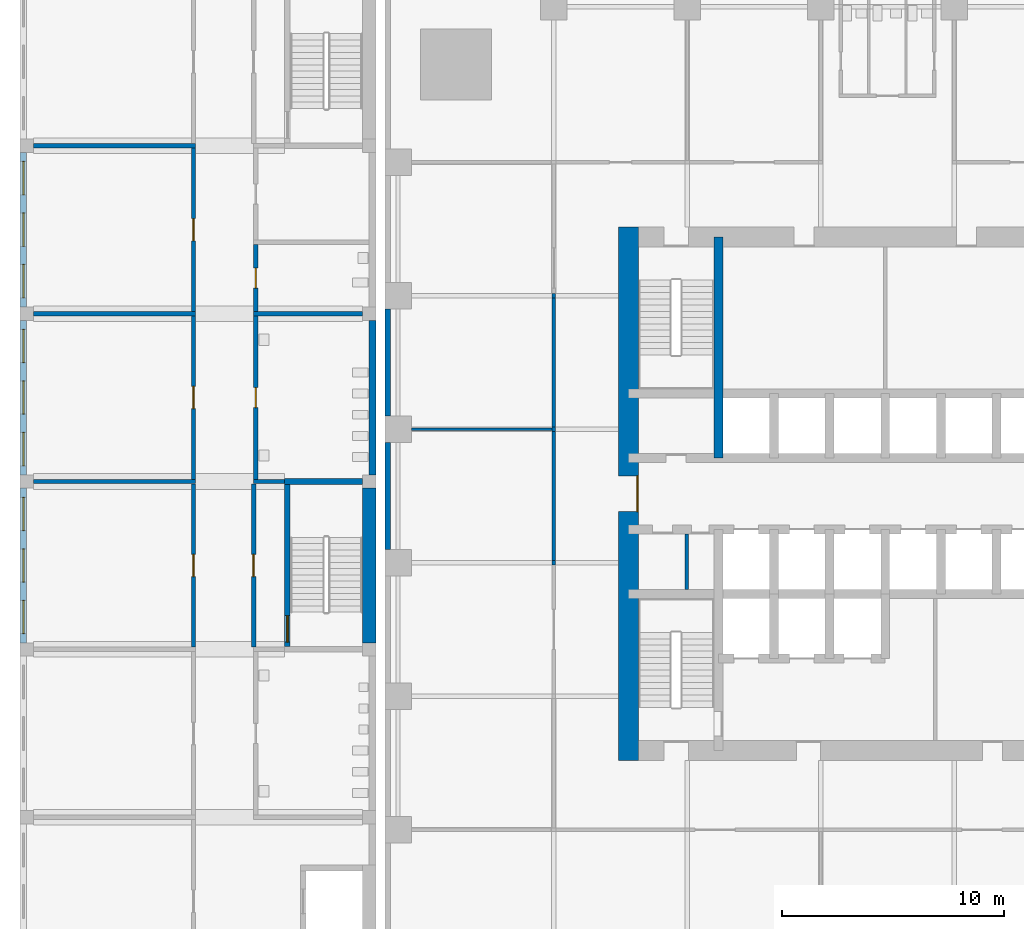
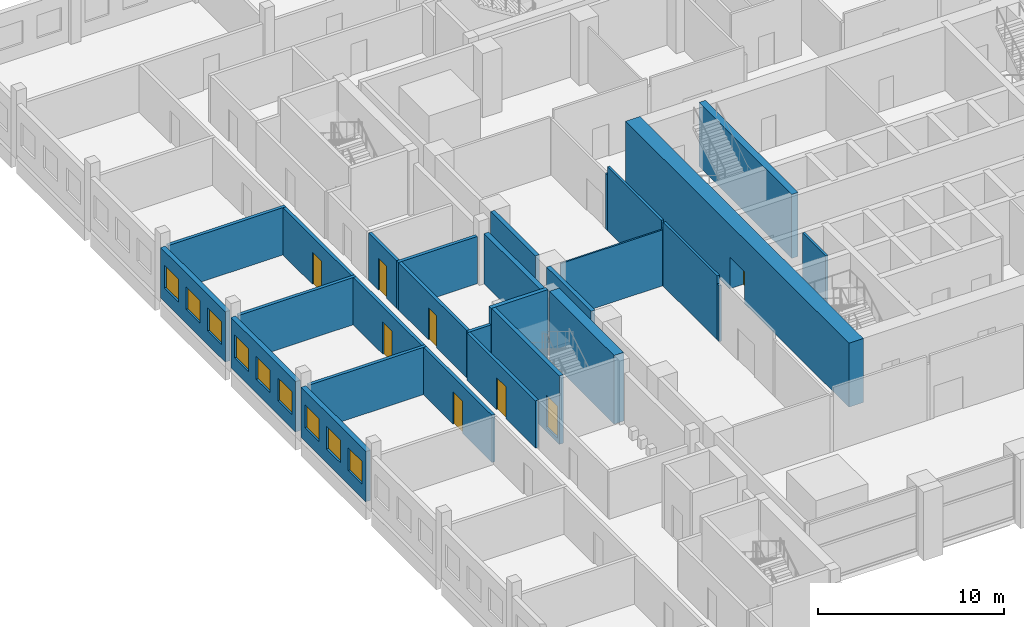
# One storey, part 12 of 25: 29 walls, 9 windows, 8 doors, 17 openings.
"""IFC4 building model written with IfcOpenShell, lengths in metres."""

from ifc_helpers import new_model, si_unit, direction, frame, frame_2d, origin, place, context, subcontext, project, spatial, rectangle, extrude, material, layer, layer_set, type_object, element, fill, save


model = new_model("IFC4")

# Units and contexts
model_context = context("Model", 3, precision=1e-05, world=origin(), true_north=direction((0.0, 1.0)))
body_context = subcontext(model_context, "Body", "Model", "MODEL_VIEW")
ifc_project = project(units=[si_unit("LENGTHUNIT", "METRE"), si_unit("AREAUNIT", "SQUARE_METRE"), si_unit("VOLUMEUNIT", "CUBIC_METRE"), si_unit("PLANEANGLEUNIT", "RADIAN"), si_unit("MASSUNIT", "GRAM", prefix="KILO")], contexts=[model_context])

# Site, building, storey
site_placement = place(None, origin())
site = spatial("IfcSite", under=ifc_project, at=site_placement, CompositionType="ELEMENT")
building_placement = place(site_placement, origin())
building = spatial("IfcBuilding", under=site, at=building_placement, Name="Amberfall Residences", CompositionType="ELEMENT")
storey_placement = place(building_placement, frame((0.0, 0.0, 10.0)))
storey = spatial("IfcBuildingStorey", under=building, at=storey_placement, Name="L02", CompositionType="ELEMENT", Elevation=10.0)

# Wall
ifc_material_1 = material(Name="Concrete C80", Category="concrete")
ifc_layer_1 = layer(ifc_material_1, 0.39990234375)
ifc_layer_set_1 = layer_set([ifc_layer_1], Name="Core wall 400 C80")
wall_type_1 = type_object("IfcWallType", Name="Core wall 400 C80", PredefinedType="SHEAR", material=ifc_layer_set_1)
wall_1_placement = place(storey_placement, frame((67.0, 47.10009765625, 0.0), z_axis=(0.0, 0.0, 1.0), x_axis=(0.0, 1.0, 0.0)))
element("IfcWall", 1, at=wall_1_placement, inside=storey, type_object=wall_type_1, Name="Core wall RW2 L02 V45N", PredefinedType="SHEAR", context=body_context, shape_type="SweptSolid", body=[
    extrude(rectangle(XDim=9.949951171875, YDim=0.39990234375, at=frame_2d((4.97509765625, 0.0))), origin(), (0.0, 0.0, 1.0), 4.199951171875),
])

# Wall, opening, door
ifc_layer_2 = layer(ifc_material_1, 0.89990234375)
ifc_layer_set_2 = layer_set([ifc_layer_2], Name="Core wall 900 C80")
wall_type_2 = type_object("IfcWallType", Name="Core wall 900 C80", PredefinedType="SHEAR", material=ifc_layer_set_2)
wall_2_placement = place(storey_placement, frame((62.949951171875, 33.5, 0.0), z_axis=(0.0, 0.0, 1.0), x_axis=(0.0, 1.0, 0.0)))
wall_2 = element("IfcWall", 2, at=wall_2_placement, inside=storey, type_object=wall_type_2, Name="Core wall RW1 L02 OW", PredefinedType="SHEAR", context=body_context, shape_type="SweptSolid", body=[
    extrude(rectangle(XDim=24.0, YDim=0.89990234375, at=frame_2d((12.0, 0.0))), origin(), (0.0, 0.0, 1.0), 4.199951171875),
])
opening_1_placement = place(wall_2_placement, frame((11.199951171875, 0.0, 0.0)))
opening_1 = element("IfcOpeningElement", 3, at=opening_1_placement, cuts=wall_2, Name="Opening LB1", PredefinedType="OPENING", context=body_context, shape_type="SweptSolid", body=[
    extrude(rectangle(XDim=1.60009765625, YDim=2.10009765625, at=frame_2d((0.800048828125, 1.050048828125))), frame((0.0, 0.4599609375, 0.0), z_axis=(0.0, -1.0, 0.0), x_axis=(1.0, 0.0, 0.0)), (0.0, 0.0, 1.0), 0.919921875),
])
ifc_material_2 = material(Name="Steel fire door set", Category="steel")
door_type_1 = type_object("IfcDoorType", Name="Lift lobby double door 1600 x 2100", OperationType="DOUBLE_DOOR_SINGLE_SWING", PredefinedType="DOOR", material=ifc_material_2)
door_1_placement = place(opening_1_placement, origin())
door_1 = element("IfcDoor", 4, at=door_1_placement, inside=storey, type_object=door_type_1, Name="LB1 L02", OperationType="DOUBLE_DOOR_SINGLE_SWING", OverallHeight=2.10009765625, OverallWidth=1.60009765625, PredefinedType="DOOR", context=body_context, shape_type="SweptSolid", body=[
    extrude(rectangle(XDim=1.60009765625, YDim=2.10009765625, at=frame_2d((0.800048828125, 1.050048828125))), frame((0.0, -0.3876953125, 0.0), z_axis=(0.0, -1.0, 0.0), x_axis=(1.0, 0.0, 0.0)), (0.0, 0.0, 1.0), 0.050048828125),
])
fill(opening_1, door_1)

# Walls
ifc_material_3 = material(Name="Gypsum board on steel studs", Category="steel")
ifc_layer_3 = layer(ifc_material_3, 0.10009765625)
ifc_layer_set_3 = layer_set([ifc_layer_3], Name="Partition 100")
wall_type_3 = type_object("IfcWallType", Name="Partition 100", PredefinedType="PARTITIONING", material=ifc_layer_set_3)
wall_3_placement = place(storey_placement, frame((53.199951171875, 48.39990234375, 0.0), z_axis=(0.0, 0.0, 1.0), x_axis=(1.0, 0.0, 0.0)))
element("IfcWall", 5, at=wall_3_placement, inside=storey, type_object=wall_type_3, Name="Partition 100 L02 002", PredefinedType="PARTITIONING", context=body_context, shape_type="SweptSolid", body=[
    extrude(rectangle(XDim=6.324951171875, YDim=0.10009765625, at=frame_2d((3.16259765625, 0.0))), origin(), (0.0, 0.0, 1.0), 3.6669921875),
])
ifc_material_4 = material(Name="Fire-rated gypsum board on steel studs", Category="steel")
ifc_layer_4 = layer(ifc_material_4, 0.14990234375)
ifc_layer_set_4 = layer_set([ifc_layer_4], Name="Partition 150 fire-rated")
wall_type_4 = type_object("IfcWallType", Name="Partition 150 fire-rated", PredefinedType="PARTITIONING", material=ifc_layer_set_4)
wall_4_placement = place(storey_placement, frame((59.60009765625, 42.29541015625, 0.0), z_axis=(0.0, 0.0, 1.0), x_axis=(0.0, 1.0, 0.0)))
element("IfcWall", 6, at=wall_4_placement, inside=storey, type_object=wall_type_4, Name="Partition 150 fire-rated L02 030", PredefinedType="PARTITIONING", context=body_context, shape_type="SweptSolid", body=[
    extrude(rectangle(XDim=0.209228515625, YDim=0.14990234375, at=frame_2d((0.1044921875, 0.0))), origin(), (0.0, 0.0, 1.0), 3.6669921875),
])
wall_5_placement = place(storey_placement, frame((59.60009765625, 42.504638671875, 0.0), z_axis=(0.0, 0.0, 1.0), x_axis=(0.0, 1.0, 0.0)))
element("IfcWall", 7, at=wall_5_placement, inside=storey, type_object=wall_type_4, Name="Partition 150 fire-rated L02 031", PredefinedType="PARTITIONING", context=body_context, shape_type="SweptSolid", body=[
    extrude(rectangle(XDim=5.790771484375, YDim=0.14990234375, at=frame_2d((2.8955078125, 0.0))), origin(), (0.0, 0.0, 1.0), 4.199951171875),
])
wall_6_placement = place(storey_placement, frame((59.60009765625, 48.29541015625, 0.0), z_axis=(0.0, 0.0, 1.0), x_axis=(0.0, 1.0, 0.0)))
element("IfcWall", 8, at=wall_6_placement, inside=storey, type_object=wall_type_4, Name="Partition 150 fire-rated L02 032", PredefinedType="PARTITIONING", context=body_context, shape_type="SweptSolid", body=[
    extrude(rectangle(XDim=0.209228515625, YDim=0.14990234375, at=frame_2d((0.1044921875, 0.0))), origin(), (0.0, 0.0, 1.0), 3.6669921875),
])
wall_7_placement = place(storey_placement, frame((59.60009765625, 48.504638671875, 0.0), z_axis=(0.0, 0.0, 1.0), x_axis=(0.0, 1.0, 0.0)))
element("IfcWall", 9, at=wall_7_placement, inside=storey, type_object=wall_type_4, Name="Partition 150 fire-rated L02 033", PredefinedType="PARTITIONING", context=body_context, shape_type="SweptSolid", body=[
    extrude(rectangle(XDim=5.790771484375, YDim=0.14990234375, at=frame_2d((2.8955078125, 0.0))), origin(), (0.0, 0.0, 1.0), 4.199951171875),
])
wall_8_placement = place(storey_placement, frame((59.60009765625, 54.29541015625, 0.0), z_axis=(0.0, 0.0, 1.0), x_axis=(0.0, 1.0, 0.0)))
element("IfcWall", 10, at=wall_8_placement, inside=storey, type_object=wall_type_4, Name="Partition 150 fire-rated L02 034", PredefinedType="PARTITIONING", context=body_context, shape_type="SweptSolid", body=[
    extrude(rectangle(XDim=0.2041015625, YDim=0.14990234375, at=frame_2d((0.10205078125, 0.0))), origin(), (0.0, 0.0, 1.0), 3.6669921875),
])
ifc_material_5 = material(Name="Precast concrete C40", Category="concrete")
ifc_layer_5 = layer(ifc_material_5, 0.25)
ifc_layer_set_5 = layer_set([ifc_layer_5], Name="Podium external wall 250")
wall_type_5 = type_object("IfcWallType", Name="Podium external wall 250", PredefinedType="SOLIDWALL", material=ifc_layer_set_5)
for number, where, z_axis, x_axis, name in (
    (11, (52.125, 43.0, 0.0), (0.0, 0.0, 1.0), (0.0, 1.0, 0.0), "Podium external wall W4"),
    (12, (52.125, 49.0, 0.0), (0.0, 0.0, 1.0), (0.0, 1.0, 0.0), "Podium external wall W5"),
):
    element("IfcWall", number, at=place(storey_placement, frame(where, z_axis=z_axis, x_axis=x_axis)), inside=storey, type_object=wall_type_5, Name=name, PredefinedType="SOLIDWALL", context=body_context, shape_type="SweptSolid", body=[
        extrude(rectangle(XDim=4.800048828125, YDim=0.25, at=frame_2d((2.39990234375, 0.0))), origin(), (0.0, 0.0, 1.0), 4.199951171875),
    ])
ifc_material_6 = material(Name="Concrete blockwork", Category="masonry")
ifc_layer_6 = layer(ifc_material_6, 0.14990234375)
ifc_layer_set_6 = layer_set([ifc_layer_6], Name="Riser wall 150")
wall_type_6 = type_object("IfcWallType", Name="Riser wall 150", PredefinedType="PLUMBINGWALL", material=ifc_layer_set_6)
wall_9_placement = place(storey_placement, frame((65.575927734375, 41.199951171875, 0.0), z_axis=(0.0, 0.0, 1.0), x_axis=(0.0, 1.0, 0.0)))
element("IfcWall", 13, at=wall_9_placement, inside=storey, type_object=wall_type_6, Name="L02 core wall ASW0", PredefinedType="PLUMBINGWALL", context=body_context, shape_type="SweptSolid", body=[
    extrude(rectangle(XDim=2.5, YDim=0.14990234375, at=frame_2d((1.25, 0.0))), origin(), (0.0, 0.0, 1.0), 4.199951171875),
])

# Wall, openings, windows
ifc_material_7 = material(Name="Aerated block wall")
ifc_layer_7 = layer(ifc_material_7, 0.300048828125)
ifc_layer_set_7 = layer_set([ifc_layer_7], Name="School external wall 300")
wall_type_7 = type_object("IfcWallType", Name="School external wall 300", PredefinedType="SOLIDWALL", material=ifc_layer_set_7)
wall_10_placement = place(storey_placement, frame((35.75, 38.800048828125, 0.0), z_axis=(0.0, 0.0, 1.0), x_axis=(0.0, 1.0, 0.0)))
wall_10 = element("IfcWall", 14, at=wall_10_placement, inside=storey, type_object=wall_type_7, Name="School external wall L02 EW4", PredefinedType="SOLIDWALL", context=body_context, shape_type="SweptSolid", body=[
    extrude(rectangle(XDim=6.949951171875, YDim=0.300048828125, at=frame_2d((3.47509765625, 0.0))), origin(), (0.0, 0.0, 1.0), 3.300048828125),
])
opening_2_placement = place(wall_10_placement, frame((0.408203125, 0.0, 0.89990234375)))
opening_2 = element("IfcOpeningElement", 15, at=opening_2_placement, cuts=wall_10, Name="Opening SWN1", PredefinedType="OPENING", context=body_context, shape_type="SweptSolid", body=[
    extrude(rectangle(XDim=1.5, YDim=1.5, at=frame_2d((0.75, 0.75))), frame((0.0, 0.159912109375, 0.0), z_axis=(0.0, -1.0, 0.0), x_axis=(1.0, 0.0, 0.0)), (0.0, 0.0, 1.0), 0.320068359375),
])
opening_3_placement = place(wall_10_placement, frame((2.72509765625, 0.0, 0.89990234375)))
opening_3 = element("IfcOpeningElement", 16, at=opening_3_placement, cuts=wall_10, Name="Opening SWN1", PredefinedType="OPENING", context=body_context, shape_type="SweptSolid", body=[
    extrude(rectangle(XDim=1.5, YDim=1.5, at=frame_2d((0.75, 0.75))), frame((0.0, 0.159912109375, 0.0), z_axis=(0.0, -1.0, 0.0), x_axis=(1.0, 0.0, 0.0)), (0.0, 0.0, 1.0), 0.320068359375),
])
opening_4_placement = place(wall_10_placement, frame((5.041748046875, 0.0, 0.89990234375)))
opening_4 = element("IfcOpeningElement", 17, at=opening_4_placement, cuts=wall_10, Name="Opening SWN1", PredefinedType="OPENING", context=body_context, shape_type="SweptSolid", body=[
    extrude(rectangle(XDim=1.5, YDim=1.5, at=frame_2d((0.75, 0.75))), frame((0.0, 0.159912109375, 0.0), z_axis=(0.0, -1.0, 0.0), x_axis=(1.0, 0.0, 0.0)), (0.0, 0.0, 1.0), 0.320068359375),
])
ifc_material_8 = material(Name="Aluminium window", Category="aluminium")
window_type = type_object("IfcWindowType", Name="School window 1500 x 1500", PartitioningType="DOUBLE_PANEL_HORIZONTAL", PredefinedType="WINDOW", material=ifc_material_8)
window_1_placement = place(opening_2_placement, origin())
window_1 = element("IfcWindow", 18, at=window_1_placement, inside=storey, type_object=window_type, Name="School window L02 EW4-1", OverallHeight=1.5, OverallWidth=1.5, PartitioningType="DOUBLE_PANEL_HORIZONTAL", PredefinedType="WINDOW", context=body_context, shape_type="SweptSolid", body=[
    extrude(rectangle(XDim=1.5, YDim=1.5, at=frame_2d((0.75, 0.75))), frame((0.0, 0.030029296875, 0.0), z_axis=(0.0, -1.0, 0.0), x_axis=(1.0, 0.0, 0.0)), (0.0, 0.0, 1.0), 0.06005859375),
])
fill(opening_2, window_1)
window_2_placement = place(opening_3_placement, origin())
window_2 = element("IfcWindow", 19, at=window_2_placement, inside=storey, type_object=window_type, Name="School window L02 EW4-2", OverallHeight=1.5, OverallWidth=1.5, PartitioningType="DOUBLE_PANEL_HORIZONTAL", PredefinedType="WINDOW", context=body_context, shape_type="SweptSolid", body=[
    extrude(rectangle(XDim=1.5, YDim=1.5, at=frame_2d((0.75, 0.75))), frame((0.0, 0.030029296875, 0.0), z_axis=(0.0, -1.0, 0.0), x_axis=(1.0, 0.0, 0.0)), (0.0, 0.0, 1.0), 0.06005859375),
])
fill(opening_3, window_2)
window_3_placement = place(opening_4_placement, origin())
window_3 = element("IfcWindow", 20, at=window_3_placement, inside=storey, type_object=window_type, Name="School window L02 EW4-3", OverallHeight=1.5, OverallWidth=1.5, PartitioningType="DOUBLE_PANEL_HORIZONTAL", PredefinedType="WINDOW", context=body_context, shape_type="SweptSolid", body=[
    extrude(rectangle(XDim=1.5, YDim=1.5, at=frame_2d((0.75, 0.75))), frame((0.0, 0.030029296875, 0.0), z_axis=(0.0, -1.0, 0.0), x_axis=(1.0, 0.0, 0.0)), (0.0, 0.0, 1.0), 0.06005859375),
])
fill(opening_4, window_3)

wall_11_placement = place(storey_placement, frame((35.75, 46.35009765625, 0.0), z_axis=(0.0, 0.0, 1.0), x_axis=(0.0, 1.0, 0.0)))
wall_11 = element("IfcWall", 21, at=wall_11_placement, inside=storey, type_object=wall_type_7, Name="School external wall L02 EW5", PredefinedType="SOLIDWALL", context=body_context, shape_type="SweptSolid", body=[
    extrude(rectangle(XDim=6.949951171875, YDim=0.300048828125, at=frame_2d((3.47509765625, 0.0))), origin(), (0.0, 0.0, 1.0), 3.300048828125),
])
opening_5_placement = place(wall_11_placement, frame((0.408203125, 0.0, 0.89990234375)))
opening_5 = element("IfcOpeningElement", 22, at=opening_5_placement, cuts=wall_11, Name="Opening SWN1", PredefinedType="OPENING", context=body_context, shape_type="SweptSolid", body=[
    extrude(rectangle(XDim=1.5, YDim=1.5, at=frame_2d((0.75, 0.75))), frame((0.0, 0.159912109375, 0.0), z_axis=(0.0, -1.0, 0.0), x_axis=(1.0, 0.0, 0.0)), (0.0, 0.0, 1.0), 0.320068359375),
])
opening_6_placement = place(wall_11_placement, frame((2.72509765625, 0.0, 0.89990234375)))
opening_6 = element("IfcOpeningElement", 23, at=opening_6_placement, cuts=wall_11, Name="Opening SWN1", PredefinedType="OPENING", context=body_context, shape_type="SweptSolid", body=[
    extrude(rectangle(XDim=1.5, YDim=1.5, at=frame_2d((0.75, 0.75))), frame((0.0, 0.159912109375, 0.0), z_axis=(0.0, -1.0, 0.0), x_axis=(1.0, 0.0, 0.0)), (0.0, 0.0, 1.0), 0.320068359375),
])
opening_7_placement = place(wall_11_placement, frame((5.041748046875, 0.0, 0.89990234375)))
opening_7 = element("IfcOpeningElement", 24, at=opening_7_placement, cuts=wall_11, Name="Opening SWN1", PredefinedType="OPENING", context=body_context, shape_type="SweptSolid", body=[
    extrude(rectangle(XDim=1.5, YDim=1.5, at=frame_2d((0.75, 0.75))), frame((0.0, 0.159912109375, 0.0), z_axis=(0.0, -1.0, 0.0), x_axis=(1.0, 0.0, 0.0)), (0.0, 0.0, 1.0), 0.320068359375),
])
window_4_placement = place(opening_5_placement, origin())
window_4 = element("IfcWindow", 25, at=window_4_placement, inside=storey, type_object=window_type, Name="School window L02 EW5-1", OverallHeight=1.5, OverallWidth=1.5, PartitioningType="DOUBLE_PANEL_HORIZONTAL", PredefinedType="WINDOW", context=body_context, shape_type="SweptSolid", body=[
    extrude(rectangle(XDim=1.5, YDim=1.5, at=frame_2d((0.75, 0.75))), frame((0.0, 0.030029296875, 0.0), z_axis=(0.0, -1.0, 0.0), x_axis=(1.0, 0.0, 0.0)), (0.0, 0.0, 1.0), 0.06005859375),
])
fill(opening_5, window_4)
window_5_placement = place(opening_6_placement, origin())
window_5 = element("IfcWindow", 26, at=window_5_placement, inside=storey, type_object=window_type, Name="School window L02 EW5-2", OverallHeight=1.5, OverallWidth=1.5, PartitioningType="DOUBLE_PANEL_HORIZONTAL", PredefinedType="WINDOW", context=body_context, shape_type="SweptSolid", body=[
    extrude(rectangle(XDim=1.5, YDim=1.5, at=frame_2d((0.75, 0.75))), frame((0.0, 0.030029296875, 0.0), z_axis=(0.0, -1.0, 0.0), x_axis=(1.0, 0.0, 0.0)), (0.0, 0.0, 1.0), 0.06005859375),
])
fill(opening_6, window_5)
window_6_placement = place(opening_7_placement, origin())
window_6 = element("IfcWindow", 27, at=window_6_placement, inside=storey, type_object=window_type, Name="School window L02 EW5-3", OverallHeight=1.5, OverallWidth=1.5, PartitioningType="DOUBLE_PANEL_HORIZONTAL", PredefinedType="WINDOW", context=body_context, shape_type="SweptSolid", body=[
    extrude(rectangle(XDim=1.5, YDim=1.5, at=frame_2d((0.75, 0.75))), frame((0.0, 0.030029296875, 0.0), z_axis=(0.0, -1.0, 0.0), x_axis=(1.0, 0.0, 0.0)), (0.0, 0.0, 1.0), 0.06005859375),
])
fill(opening_7, window_6)

wall_12_placement = place(storey_placement, frame((35.75, 53.89990234375, 0.0), z_axis=(0.0, 0.0, 1.0), x_axis=(0.0, 1.0, 0.0)))
wall_12 = element("IfcWall", 28, at=wall_12_placement, inside=storey, type_object=wall_type_7, Name="School external wall L02 EW6", PredefinedType="SOLIDWALL", context=body_context, shape_type="SweptSolid", body=[
    extrude(rectangle(XDim=6.9501953125, YDim=0.300048828125, at=frame_2d((3.47509765625, 0.0))), origin(), (0.0, 0.0, 1.0), 3.300048828125),
])
opening_8_placement = place(wall_12_placement, frame((0.408203125, 0.0, 0.89990234375)))
opening_8 = element("IfcOpeningElement", 29, at=opening_8_placement, cuts=wall_12, Name="Opening SWN1", PredefinedType="OPENING", context=body_context, shape_type="SweptSolid", body=[
    extrude(rectangle(XDim=1.5, YDim=1.5, at=frame_2d((0.75, 0.75))), frame((0.0, 0.159912109375, 0.0), z_axis=(0.0, -1.0, 0.0), x_axis=(1.0, 0.0, 0.0)), (0.0, 0.0, 1.0), 0.320068359375),
])
opening_9_placement = place(wall_12_placement, frame((2.72509765625, 0.0, 0.89990234375)))
opening_9 = element("IfcOpeningElement", 30, at=opening_9_placement, cuts=wall_12, Name="Opening SWN1", PredefinedType="OPENING", context=body_context, shape_type="SweptSolid", body=[
    extrude(rectangle(XDim=1.5, YDim=1.5, at=frame_2d((0.75, 0.75))), frame((0.0, 0.159912109375, 0.0), z_axis=(0.0, -1.0, 0.0), x_axis=(1.0, 0.0, 0.0)), (0.0, 0.0, 1.0), 0.320068359375),
])
opening_10_placement = place(wall_12_placement, frame((5.041748046875, 0.0, 0.89990234375)))
opening_10 = element("IfcOpeningElement", 31, at=opening_10_placement, cuts=wall_12, Name="Opening SWN1", PredefinedType="OPENING", context=body_context, shape_type="SweptSolid", body=[
    extrude(rectangle(XDim=1.5, YDim=1.5, at=frame_2d((0.75, 0.75))), frame((0.0, 0.159912109375, 0.0), z_axis=(0.0, -1.0, 0.0), x_axis=(1.0, 0.0, 0.0)), (0.0, 0.0, 1.0), 0.320068359375),
])
window_7_placement = place(opening_8_placement, origin())
window_7 = element("IfcWindow", 32, at=window_7_placement, inside=storey, type_object=window_type, Name="School window L02 EW6-1", OverallHeight=1.5, OverallWidth=1.5, PartitioningType="DOUBLE_PANEL_HORIZONTAL", PredefinedType="WINDOW", context=body_context, shape_type="SweptSolid", body=[
    extrude(rectangle(XDim=1.5, YDim=1.5, at=frame_2d((0.75, 0.75))), frame((0.0, 0.030029296875, 0.0), z_axis=(0.0, -1.0, 0.0), x_axis=(1.0, 0.0, 0.0)), (0.0, 0.0, 1.0), 0.06005859375),
])
fill(opening_8, window_7)
window_8_placement = place(opening_9_placement, origin())
window_8 = element("IfcWindow", 33, at=window_8_placement, inside=storey, type_object=window_type, Name="School window L02 EW6-2", OverallHeight=1.5, OverallWidth=1.5, PartitioningType="DOUBLE_PANEL_HORIZONTAL", PredefinedType="WINDOW", context=body_context, shape_type="SweptSolid", body=[
    extrude(rectangle(XDim=1.5, YDim=1.5, at=frame_2d((0.75, 0.75))), frame((0.0, 0.030029296875, 0.0), z_axis=(0.0, -1.0, 0.0), x_axis=(1.0, 0.0, 0.0)), (0.0, 0.0, 1.0), 0.06005859375),
])
fill(opening_9, window_8)
window_9_placement = place(opening_10_placement, origin())
window_9 = element("IfcWindow", 34, at=window_9_placement, inside=storey, type_object=window_type, Name="School window L02 EW6-3", OverallHeight=1.5, OverallWidth=1.5, PartitioningType="DOUBLE_PANEL_HORIZONTAL", PredefinedType="WINDOW", context=body_context, shape_type="SweptSolid", body=[
    extrude(rectangle(XDim=1.5, YDim=1.5, at=frame_2d((0.75, 0.75))), frame((0.0, 0.030029296875, 0.0), z_axis=(0.0, -1.0, 0.0), x_axis=(1.0, 0.0, 0.0)), (0.0, 0.0, 1.0), 0.06005859375),
])
fill(opening_10, window_9)

# Wall
wall_13_placement = place(storey_placement, frame((51.449951171875, 46.35009765625, 0.0), z_axis=(0.0, 0.0, 1.0), x_axis=(0.0, 1.0, 0.0)))
element("IfcWall", 35, at=wall_13_placement, inside=storey, type_object=wall_type_7, Name="School external wall L02 ET5", PredefinedType="SOLIDWALL", context=body_context, shape_type="SweptSolid", body=[
    extrude(rectangle(XDim=6.949951171875, YDim=0.300048828125, at=frame_2d((3.47509765625, 0.0))), origin(), (0.0, 0.0, 1.0), 3.300048828125),
])

# Wall, opening, door
ifc_layer_8 = layer(ifc_material_7, 0.199951171875)
ifc_layer_set_8 = layer_set([ifc_layer_8], Name="School partition 200")
wall_type_8 = type_object("IfcWallType", Name="School partition 200", PredefinedType="PARTITIONING", material=ifc_layer_set_8)
wall_14_placement = place(storey_placement, frame((43.39990234375, 38.60009765625, 0.0), z_axis=(0.0, 0.0, 1.0), x_axis=(0.0, 1.0, 0.0)))
wall_14 = element("IfcWall", 36, at=wall_14_placement, inside=storey, type_object=wall_type_8, Name="School partition L02 CWW4", PredefinedType="PARTITIONING", context=body_context, shape_type="SweptSolid", body=[
    extrude(rectangle(XDim=7.349853515625, YDim=0.199951171875, at=frame_2d((3.6748046875, 0.0))), origin(), (0.0, 0.0, 1.0), 3.10009765625),
])
opening_11_placement = place(wall_14_placement, frame((3.175048828125, 0.0, 0.0)))
opening_11 = element("IfcOpeningElement", 37, at=opening_11_placement, cuts=wall_14, Name="Opening SD5", PredefinedType="OPENING", context=body_context, shape_type="SweptSolid", body=[
    extrude(rectangle(XDim=1.0, YDim=2.10009765625, at=frame_2d((0.5, 1.050048828125))), frame((0.0, 0.10986328125, 0.0), z_axis=(0.0, -1.0, 0.0), x_axis=(1.0, 0.0, 0.0)), (0.0, 0.0, 1.0), 0.219970703125),
])
ifc_material_9 = material(Name="Timber door", Category="wood")
door_type_2 = type_object("IfcDoorType", Name="School classroom door 1000 x 2100", OperationType="SINGLE_SWING_LEFT", PredefinedType="DOOR", material=ifc_material_9)
door_2_placement = place(opening_11_placement, origin())
door_2 = element("IfcDoor", 38, at=door_2_placement, inside=storey, type_object=door_type_2, Name="School door L02 CWW4-1", OperationType="SINGLE_SWING_LEFT", OverallHeight=2.10009765625, OverallWidth=1.0, PredefinedType="DOOR", context=body_context, shape_type="SweptSolid", body=[
    extrude(rectangle(XDim=1.0, YDim=2.10009765625, at=frame_2d((0.5, 1.050048828125))), frame((0.0, 0.02490234375, 0.0), z_axis=(0.0, -1.0, 0.0), x_axis=(1.0, 0.0, 0.0)), (0.0, 0.0, 1.0), 0.050048828125),
])
fill(opening_11, door_2)

wall_15_placement = place(storey_placement, frame((43.39990234375, 46.14990234375, 0.0), z_axis=(0.0, 0.0, 1.0), x_axis=(0.0, 1.0, 0.0)))
wall_15 = element("IfcWall", 39, at=wall_15_placement, inside=storey, type_object=wall_type_8, Name="School partition L02 CWW5", PredefinedType="PARTITIONING", context=body_context, shape_type="SweptSolid", body=[
    extrude(rectangle(XDim=7.35009765625, YDim=0.199951171875, at=frame_2d((3.675048828125, 0.0))), origin(), (0.0, 0.0, 1.0), 3.10009765625),
])
opening_12_placement = place(wall_15_placement, frame((3.175048828125, 0.0, 0.0)))
opening_12 = element("IfcOpeningElement", 40, at=opening_12_placement, cuts=wall_15, Name="Opening SD5", PredefinedType="OPENING", context=body_context, shape_type="SweptSolid", body=[
    extrude(rectangle(XDim=1.0, YDim=2.10009765625, at=frame_2d((0.5, 1.050048828125))), frame((0.0, 0.10986328125, 0.0), z_axis=(0.0, -1.0, 0.0), x_axis=(1.0, 0.0, 0.0)), (0.0, 0.0, 1.0), 0.219970703125),
])
door_3_placement = place(opening_12_placement, origin())
door_3 = element("IfcDoor", 41, at=door_3_placement, inside=storey, type_object=door_type_2, Name="School door L02 CWW5-1", OperationType="SINGLE_SWING_LEFT", OverallHeight=2.10009765625, OverallWidth=1.0, PredefinedType="DOOR", context=body_context, shape_type="SweptSolid", body=[
    extrude(rectangle(XDim=1.0, YDim=2.10009765625, at=frame_2d((0.5, 1.050048828125))), frame((0.0, 0.02490234375, 0.0), z_axis=(0.0, -1.0, 0.0), x_axis=(1.0, 0.0, 0.0)), (0.0, 0.0, 1.0), 0.050048828125),
])
fill(opening_12, door_3)

wall_16_placement = place(storey_placement, frame((43.39990234375, 53.699951171875, 0.0), z_axis=(0.0, 0.0, 1.0), x_axis=(0.0, 1.0, 0.0)))
wall_16 = element("IfcWall", 42, at=wall_16_placement, inside=storey, type_object=wall_type_8, Name="School partition L02 CWW6", PredefinedType="PARTITIONING", context=body_context, shape_type="SweptSolid", body=[
    extrude(rectangle(XDim=7.35009765625, YDim=0.199951171875, at=frame_2d((3.675048828125, 0.0))), origin(), (0.0, 0.0, 1.0), 3.10009765625),
])
opening_13_placement = place(wall_16_placement, frame((3.175048828125, 0.0, 0.0)))
opening_13 = element("IfcOpeningElement", 43, at=opening_13_placement, cuts=wall_16, Name="Opening SD5", PredefinedType="OPENING", context=body_context, shape_type="SweptSolid", body=[
    extrude(rectangle(XDim=1.0, YDim=2.10009765625, at=frame_2d((0.5, 1.050048828125))), frame((0.0, 0.10986328125, 0.0), z_axis=(0.0, -1.0, 0.0), x_axis=(1.0, 0.0, 0.0)), (0.0, 0.0, 1.0), 0.219970703125),
])
door_4_placement = place(opening_13_placement, origin())
door_4 = element("IfcDoor", 44, at=door_4_placement, inside=storey, type_object=door_type_2, Name="School door L02 CWW6-1", OperationType="SINGLE_SWING_LEFT", OverallHeight=2.10009765625, OverallWidth=1.0, PredefinedType="DOOR", context=body_context, shape_type="SweptSolid", body=[
    extrude(rectangle(XDim=1.0, YDim=2.10009765625, at=frame_2d((0.5, 1.050048828125))), frame((0.0, 0.02490234375, 0.0), z_axis=(0.0, -1.0, 0.0), x_axis=(1.0, 0.0, 0.0)), (0.0, 0.0, 1.0), 0.050048828125),
])
fill(opening_13, door_4)

# Walls
for number, where, z_axis, x_axis, name in (
    (45, (36.199951171875, 46.050048828125, 0.0), (0.0, 0.0, 1.0), (1.0, 0.0, 0.0), "School partition L02 PW4605"),
    (46, (36.199951171875, 53.60009765625, 0.0), (0.0, 0.0, 1.0), (1.0, 0.0, 0.0), "School partition L02 PW5360"),
    (47, (36.199951171875, 61.14990234375, 0.0), (0.0, 0.0, 1.0), (1.0, 0.0, 0.0), "School partition L02 PW6115"),
):
    element("IfcWall", number, at=place(storey_placement, frame(where, z_axis=z_axis, x_axis=x_axis)), inside=storey, type_object=wall_type_8, Name=name, PredefinedType="PARTITIONING", context=body_context, shape_type="SweptSolid", body=[
        extrude(rectangle(XDim=7.300048828125, YDim=0.199951171875, at=frame_2d((3.64990234375, 0.0))), origin(), (0.0, 0.0, 1.0), 3.10009765625),
    ])

# Wall, opening, door
wall_17_placement = place(storey_placement, frame((46.199951171875, 46.14990234375, 0.0), z_axis=(0.0, 0.0, 1.0), x_axis=(0.0, 1.0, 0.0)))
wall_17 = element("IfcWall", 48, at=wall_17_placement, inside=storey, type_object=wall_type_8, Name="School partition L02 CWE546", PredefinedType="PARTITIONING", context=body_context, shape_type="SweptSolid", body=[
    extrude(rectangle(XDim=7.35009765625, YDim=0.199951171875, at=frame_2d((3.675048828125, 0.0))), origin(), (0.0, 0.0, 1.0), 3.10009765625),
])
opening_14_placement = place(wall_17_placement, frame((3.22509765625, 0.0, 0.0)))
opening_14 = element("IfcOpeningElement", 49, at=opening_14_placement, cuts=wall_17, Name="Opening SD2", PredefinedType="OPENING", context=body_context, shape_type="SweptSolid", body=[
    extrude(rectangle(XDim=0.89990234375, YDim=2.10009765625, at=frame_2d((0.449951171875, 1.050048828125))), frame((0.0, 0.10986328125, 0.0), z_axis=(0.0, -1.0, 0.0), x_axis=(1.0, 0.0, 0.0)), (0.0, 0.0, 1.0), 0.219970703125),
])
door_type_3 = type_object("IfcDoorType", Name="School WC door 900 x 2100", OperationType="SINGLE_SWING_LEFT", PredefinedType="DOOR", material=ifc_material_9)
door_5_placement = place(opening_14_placement, origin())
door_5 = element("IfcDoor", 50, at=door_5_placement, inside=storey, type_object=door_type_3, Name="School door L02 CWE546-1", OperationType="SINGLE_SWING_LEFT", OverallHeight=2.10009765625, OverallWidth=0.89990234375, PredefinedType="DOOR", context=body_context, shape_type="SweptSolid", body=[
    extrude(rectangle(XDim=0.89990234375, YDim=2.10009765625, at=frame_2d((0.449951171875, 1.050048828125))), frame((0.0, 0.02490234375, 0.0), z_axis=(0.0, -1.0, 0.0), x_axis=(1.0, 0.0, 0.0)), (0.0, 0.0, 1.0), 0.050048828125),
])
fill(opening_14, door_5)

wall_18_placement = place(storey_placement, frame((46.199951171875, 53.699951171875, 0.0), z_axis=(0.0, 0.0, 1.0), x_axis=(0.0, 1.0, 0.0)))
wall_18 = element("IfcWall", 51, at=wall_18_placement, inside=storey, type_object=wall_type_8, Name="School partition L02 CWE654", PredefinedType="PARTITIONING", context=body_context, shape_type="SweptSolid", body=[
    extrude(rectangle(XDim=3.0, YDim=0.199951171875, at=frame_2d((1.5, 0.0))), origin(), (0.0, 0.0, 1.0), 3.10009765625),
])
opening_15_placement = place(wall_18_placement, frame((1.050048828125, 0.0, 0.0)))
opening_15 = element("IfcOpeningElement", 52, at=opening_15_placement, cuts=wall_18, Name="Opening SD2", PredefinedType="OPENING", context=body_context, shape_type="SweptSolid", body=[
    extrude(rectangle(XDim=0.89990234375, YDim=2.10009765625, at=frame_2d((0.449951171875, 1.050048828125))), frame((0.0, 0.10986328125, 0.0), z_axis=(0.0, -1.0, 0.0), x_axis=(1.0, 0.0, 0.0)), (0.0, 0.0, 1.0), 0.219970703125),
])
door_6_placement = place(opening_15_placement, origin())
door_6 = element("IfcDoor", 53, at=door_6_placement, inside=storey, type_object=door_type_3, Name="School door L02 CWE654-1", OperationType="SINGLE_SWING_LEFT", OverallHeight=2.10009765625, OverallWidth=0.89990234375, PredefinedType="DOOR", context=body_context, shape_type="SweptSolid", body=[
    extrude(rectangle(XDim=0.89990234375, YDim=2.10009765625, at=frame_2d((0.449951171875, 1.050048828125))), frame((0.0, 0.02490234375, 0.0), z_axis=(0.0, -1.0, 0.0), x_axis=(1.0, 0.0, 0.0)), (0.0, 0.0, 1.0), 0.050048828125),
])
fill(opening_15, door_6)

# Walls
wall_19_placement = place(storey_placement, frame((46.10009765625, 46.050048828125, 0.0), z_axis=(0.0, 0.0, 1.0), x_axis=(1.0, 0.0, 0.0)))
element("IfcWall", 54, at=wall_19_placement, inside=storey, type_object=wall_type_8, Name="School partition L02 PEA5", PredefinedType="PARTITIONING", context=body_context, shape_type="SweptSolid", body=[
    extrude(rectangle(XDim=1.39990234375, YDim=0.199951171875, at=frame_2d((0.699951171875, 0.0))), origin(), (0.0, 0.0, 1.0), 3.10009765625),
])
wall_20_placement = place(storey_placement, frame((46.10009765625, 53.60009765625, 0.0), z_axis=(0.0, 0.0, 1.0), x_axis=(1.0, 0.0, 0.0)))
element("IfcWall", 55, at=wall_20_placement, inside=storey, type_object=wall_type_8, Name="School partition L02 PE6", PredefinedType="PARTITIONING", context=body_context, shape_type="SweptSolid", body=[
    extrude(rectangle(XDim=4.89990234375, YDim=0.199951171875, at=frame_2d((2.449951171875, 0.0))), origin(), (0.0, 0.0, 1.0), 3.10009765625),
])

# Wall, opening, door
wall_21_placement = place(storey_placement, frame((46.10009765625, 38.60009765625, 0.0), z_axis=(0.0, 0.0, 1.0), x_axis=(0.0, 1.0, 0.0)))
wall_21 = element("IfcWall", 56, at=wall_21_placement, inside=storey, type_object=wall_type_8, Name="School partition L02 CWLSS2", PredefinedType="PARTITIONING", context=body_context, shape_type="SweptSolid", body=[
    extrude(rectangle(XDim=7.349853515625, YDim=0.199951171875, at=frame_2d((3.6748046875, 0.0))), origin(), (0.0, 0.0, 1.0), 3.10009765625),
])
opening_16_placement = place(wall_21_placement, frame((3.175048828125, 0.0, 0.0)))
opening_16 = element("IfcOpeningElement", 57, at=opening_16_placement, cuts=wall_21, Name="Opening SD8", PredefinedType="OPENING", context=body_context, shape_type="SweptSolid", body=[
    extrude(rectangle(XDim=1.0, YDim=2.10009765625, at=frame_2d((0.5, 1.050048828125))), frame((0.0, 0.10986328125, 0.0), z_axis=(0.0, -1.0, 0.0), x_axis=(1.0, 0.0, 0.0)), (0.0, 0.0, 1.0), 0.219970703125),
])
door_type_4 = type_object("IfcDoorType", Name="School lobby door 1000 x 2100", OperationType="SINGLE_SWING_LEFT", PredefinedType="DOOR", material=ifc_material_9)
door_7_placement = place(opening_16_placement, origin())
door_7 = element("IfcDoor", 58, at=door_7_placement, inside=storey, type_object=door_type_4, Name="School door L02 CWLSS2-1", OperationType="SINGLE_SWING_LEFT", OverallHeight=2.10009765625, OverallWidth=1.0, PredefinedType="DOOR", context=body_context, shape_type="SweptSolid", body=[
    extrude(rectangle(XDim=1.0, YDim=2.10009765625, at=frame_2d((0.5, 1.050048828125))), frame((0.0, 0.02490234375, 0.0), z_axis=(0.0, -1.0, 0.0), x_axis=(1.0, 0.0, 0.0)), (0.0, 0.0, 1.0), 0.050048828125),
])
fill(opening_16, door_7)

ifc_material_10 = material(Name="Concrete C50", Category="concrete")
ifc_layer_9 = layer(ifc_material_10, 0.25)
ifc_layer_set_9 = layer_set([ifc_layer_9], Name="School stair core wall 250 C50")
wall_type_9 = type_object("IfcWallType", Name="School stair core wall 250 C50", PredefinedType="SHEAR", material=ifc_layer_set_9)
wall_22_placement = place(storey_placement, frame((47.625, 38.625, -0.300048828125), z_axis=(0.0, 0.0, 1.0), x_axis=(0.0, 1.0, 0.0)))
wall_22 = element("IfcWall", 59, at=wall_22_placement, inside=storey, type_object=wall_type_9, Name="School core wall L02 SS2W", PredefinedType="SHEAR", context=body_context, shape_type="SweptSolid", body=[
    extrude(rectangle(XDim=7.300048828125, YDim=0.25, at=frame_2d((3.64990234375, 0.0))), origin(), (0.0, 0.0, 1.0), 4.5),
])
opening_17_placement = place(wall_22_placement, frame((0.199951171875, 0.0, 0.300048828125)))
opening_17 = element("IfcOpeningElement", 60, at=opening_17_placement, cuts=wall_22, Name="Opening SD4", PredefinedType="OPENING", context=body_context, shape_type="SweptSolid", body=[
    extrude(rectangle(XDim=1.199951171875, YDim=2.10009765625, at=frame_2d((0.60009765625, 1.050048828125))), frame((0.0, 0.135009765625, 0.0), z_axis=(0.0, -1.0, 0.0), x_axis=(1.0, 0.0, 0.0)), (0.0, 0.0, 1.0), 0.27001953125),
])
ifc_material_11 = material(Name="Steel fire door", Category="steel")
door_type_5 = type_object("IfcDoorType", Name="School stair door 1200 x 2100 FD120", OperationType="SINGLE_SWING_LEFT", PredefinedType="DOOR", material=ifc_material_11)
door_8_placement = place(opening_17_placement, origin())
door_8 = element("IfcDoor", 61, at=door_8_placement, inside=storey, type_object=door_type_5, Name="School stair door L02 SS2", OperationType="SINGLE_SWING_LEFT", OverallHeight=2.10009765625, OverallWidth=1.199951171875, PredefinedType="DOOR", context=body_context, shape_type="SweptSolid", body=[
    extrude(rectangle(XDim=1.199951171875, YDim=2.10009765625, at=frame_2d((0.60009765625, 1.050048828125))), frame((0.0, 0.02490234375, 0.0), z_axis=(0.0, -1.0, 0.0), x_axis=(1.0, 0.0, 0.0)), (0.0, 0.0, 1.0), 0.050048828125),
])
fill(opening_17, door_8)

# Walls
wall_23_placement = place(storey_placement, frame((47.5, 46.050048828125, -0.300048828125), z_axis=(0.0, 0.0, 1.0), x_axis=(1.0, 0.0, 0.0)))
element("IfcWall", 62, at=wall_23_placement, inside=storey, type_object=wall_type_9, Name="School core wall L02 SS2N", PredefinedType="SHEAR", context=body_context, shape_type="SweptSolid", body=[
    extrude(rectangle(XDim=3.5, YDim=0.25, at=frame_2d((1.75, 0.0))), origin(), (0.0, 0.0, 1.0), 4.5),
])
ifc_layer_10 = layer(ifc_material_10, 0.60009765625)
ifc_layer_set_10 = layer_set([ifc_layer_10], Name="School tower-side core wall 600 C50")
wall_type_10 = type_object("IfcWallType", Name="School tower-side core wall 600 C50", PredefinedType="SHEAR", material=ifc_layer_set_10)
wall_24_placement = place(storey_placement, frame((51.300048828125, 38.800048828125, -0.300048828125), z_axis=(0.0, 0.0, 1.0), x_axis=(0.0, 1.0, 0.0)))
element("IfcWall", 63, at=wall_24_placement, inside=storey, type_object=wall_type_10, Name="School core wall L02 SS2E", PredefinedType="SHEAR", context=body_context, shape_type="SweptSolid", body=[
    extrude(rectangle(XDim=6.949951171875, YDim=0.60009765625, at=frame_2d((3.47509765625, 0.0))), origin(), (0.0, 0.0, 1.0), 4.5),
])

save(model, "model.ifc")
